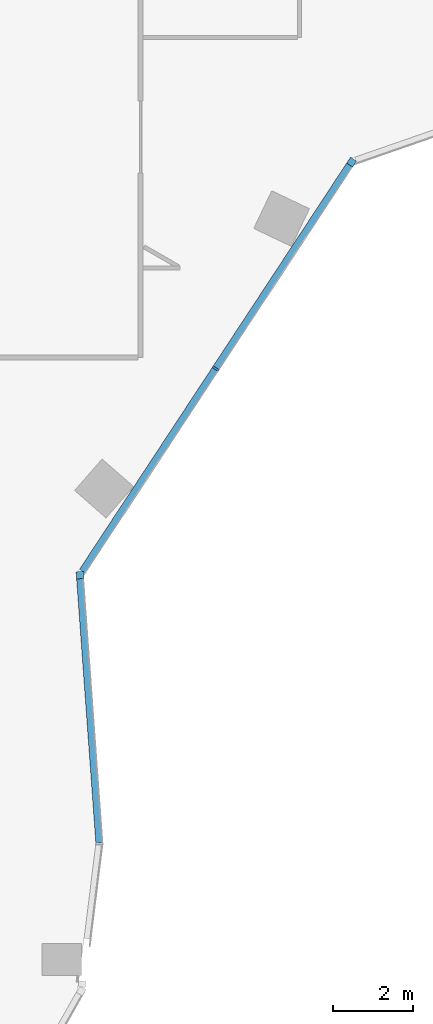
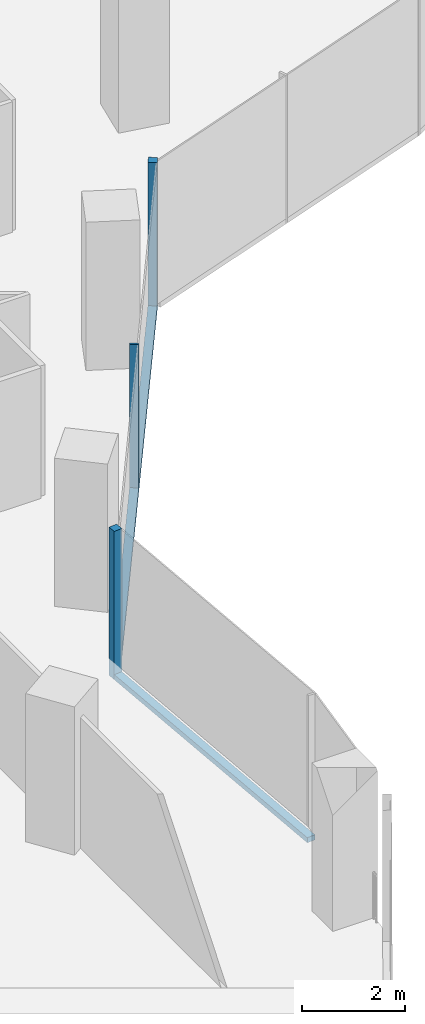
# One storey, part 5 of 24: 5 members, 2 elements without a shape of their own.
"""IFC4 building model written with IfcOpenShell, lengths in metres."""

from ifc_helpers import new_model, si_unit, direction, frame, origin, origin_2d, place, context, subcontext, project, spatial, rectangle, extrude, material, material_profile, profile_set, type_object, element, aggregate, save


model = new_model("IFC4")

# Units and contexts
model_context = context("Model", 3, precision=1e-05, world=origin(), true_north=direction((0.0, 1.0)))
body_context = subcontext(model_context, "Body", "Model", "MODEL_VIEW")
ifc_project = project(units=[si_unit("LENGTHUNIT", "METRE"), si_unit("AREAUNIT", "SQUARE_METRE"), si_unit("VOLUMEUNIT", "CUBIC_METRE"), si_unit("PLANEANGLEUNIT", "RADIAN"), si_unit("MASSUNIT", "GRAM", prefix="KILO")], contexts=[model_context])

# Site, building, storey
site_placement = place(None, origin())
site = spatial("IfcSite", under=ifc_project, at=site_placement, CompositionType="ELEMENT")
building_placement = place(site_placement, origin())
building = spatial("IfcBuilding", under=site, at=building_placement, Name="Orlundy Tower", CompositionType="ELEMENT")
storey_placement = place(building_placement, frame((0.0, 0.0, 242.5)))
storey = spatial("IfcBuildingStorey", under=building, at=storey_placement, Name="L64", CompositionType="ELEMENT", Elevation=242.5)

# Curtain wall, member
ifc_material_1 = material(Name="Aluminium bronze anodised", Category="aluminium")
curtain_wall_type = type_object("IfcCurtainWallType", Name="CW1 wall", PredefinedType="NOTDEFINED", material=ifc_material_1)
curtain_wall_1_placement = place(storey_placement, origin())
curtain_wall_1 = element("IfcCurtainWall", 1, at=curtain_wall_1_placement, inside=storey, type_object=curtain_wall_type, Name="CW1 run 01", PredefinedType="NOTDEFINED")
ifc_material_2 = material(Name="Aluminium bronze anodised", Category="aluminium")
ifc_material_profile_1 = material_profile(ifc_material_2, rectangle(XDim=0.179931640625, YDim=0.179931640625, at=origin_2d()), Name="CW1 corner post 180x180")
ifc_profile_set_1 = profile_set([ifc_material_profile_1], Name="Aluminium bronze anodised")
member_type_1 = type_object("IfcMemberType", Name="CW1 corner post 180x180", PredefinedType="MULLION", material=ifc_profile_set_1)
member_1_placement = place(storey_placement, frame((28.553466796875, -11.343994140625, -0.39990234375), z_axis=(0.0, 0.0, 1.0), x_axis=(0.835496427827, -0.549495877226, 0.0)))
member_1 = element("IfcMember", 2, at=member_1_placement, type_object=member_type_1, Name="CW1 mullion 3", PredefinedType="MULLION", context=body_context, shape_type="SweptSolid", body=[
    extrude(rectangle(XDim=0.179931640625, YDim=0.179931640625, at=origin_2d()), origin(), (0.0, 0.0, 1.0), 3.5),
])

curtain_wall_2_placement = place(storey_placement, origin())
curtain_wall_2 = element("IfcCurtainWall", 3, at=curtain_wall_2_placement, inside=storey, type_object=curtain_wall_type, Name="CW1 run 02", PredefinedType="NOTDEFINED")
member_2_placement = place(storey_placement, frame((21.72607421875, -21.724853515625, -0.39990234375), z_axis=(0.0, 0.0, 1.0), x_axis=(0.997356697467, 0.072660980026, 0.0)))
member_2 = element("IfcMember", 4, at=member_2_placement, type_object=member_type_1, Name="CW1 mullion 5", PredefinedType="MULLION", context=body_context, shape_type="SweptSolid", body=[
    extrude(rectangle(XDim=0.179931640625, YDim=0.179931640625, at=origin_2d()), origin(), (0.0, 0.0, 1.0), 3.5),
])

# Member
ifc_material_3 = material(Name="Aluminium bronze anodised", Category="aluminium")
ifc_material_profile_2 = material_profile(ifc_material_3, rectangle(XDim=0.179931640625, YDim=0.050048828125, at=origin_2d()), Name="CW1 mullion 50x180")
ifc_profile_set_2 = profile_set([ifc_material_profile_2], Name="Aluminium bronze anodised")
member_type_2 = type_object("IfcMemberType", Name="CW1 mullion 50x180", PredefinedType="MULLION", material=ifc_profile_set_2)
member_3_placement = place(storey_placement, frame((25.1396484375, -16.534423828125, -0.39990234375), z_axis=(0.0, 0.0, 1.0), x_axis=(0.835496427827, -0.549495877226, 0.0)))
member_3 = element("IfcMember", 5, at=member_3_placement, type_object=member_type_2, Name="CW1 mullion 4", PredefinedType="MULLION", context=body_context, shape_type="SweptSolid", body=[
    extrude(rectangle(XDim=0.179931640625, YDim=0.050048828125, at=origin_2d()), origin(), (0.0, 0.0, 1.0), 3.5),
])

ifc_material_4 = material(Name="Aluminium bronze anodised", Category="aluminium")
ifc_material_profile_3 = material_profile(ifc_material_4, rectangle(XDim=0.179931640625, YDim=0.1201171875, at=origin_2d()), Name="CW1 transom 180x120")
ifc_profile_set_3 = profile_set([ifc_material_profile_3], Name="Aluminium bronze anodised")
member_type_3 = type_object("IfcMemberType", Name="CW1 transom 180x120", PredefinedType="USERDEFINED", material=ifc_profile_set_3)
member_4_placement = place(storey_placement, frame((28.50390625, -11.419189453125, -0.340087890625), z_axis=(-0.549493952351, -0.835497693791, 0.0), x_axis=(0.835497693791, -0.549493952351, 0.0)))
member_4 = element("IfcMember", 6, at=member_4_placement, type_object=member_type_3, Name="CW1 transom", ObjectType="TRANSOM", PredefinedType="USERDEFINED", context=body_context, shape_type="SweptSolid", body=[
    extrude(rectangle(XDim=0.179931640625, YDim=0.1201171875, at=origin_2d()), origin(), (0.0, 0.0, 1.0), 12.221435546875),
])

aggregate(curtain_wall_1, [member_1, member_3, member_4])

member_5_placement = place(storey_placement, frame((21.732421875, -21.814697265625, -0.340087890625), z_axis=(0.072674507667, -0.997355711838, 0.0), x_axis=(0.997355711838, 0.072674507667, 0.0)))
member_5 = element("IfcMember", 7, at=member_5_placement, type_object=member_type_3, Name="CW1 transom", ObjectType="TRANSOM", PredefinedType="USERDEFINED", context=body_context, shape_type="SweptSolid", body=[
    extrude(rectangle(XDim=0.179931640625, YDim=0.1201171875, at=origin_2d()), origin(), (0.0, 0.0, 1.0), 6.648193359375),
])

aggregate(curtain_wall_2, [member_2, member_5])

save(model, "model.ifc")
